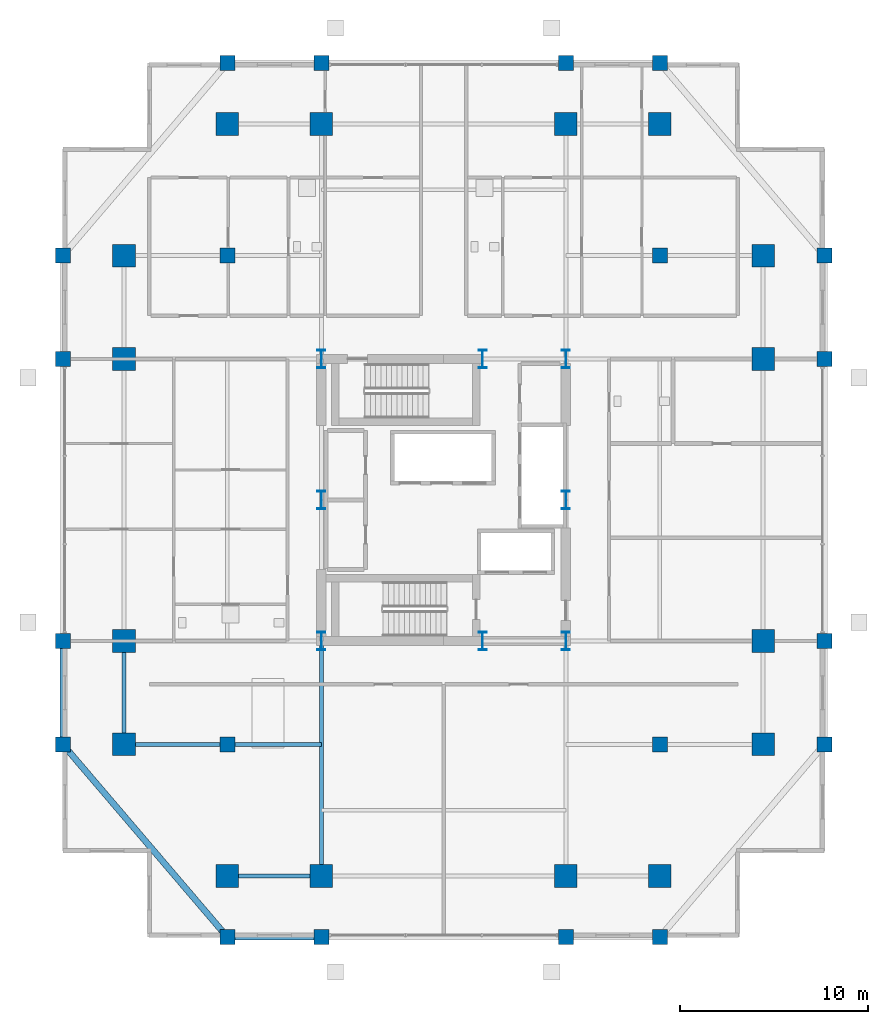
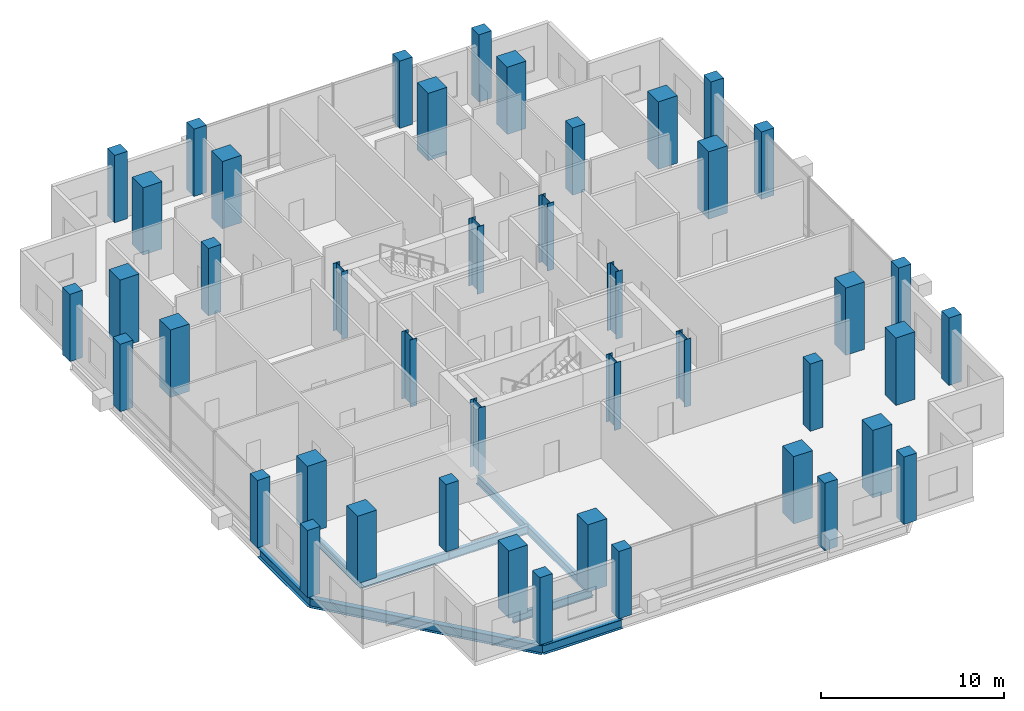
# One storey, part 1 of 19: 44 columns, 8 beams.
"""IFC4 building model written with IfcOpenShell, lengths in metres."""

from ifc_helpers import new_model, si_unit, direction, frame, origin, origin_2d, place, context, subcontext, project, spatial, rectangle, i_section, extrude, material, material_profile, profile_set, type_object, element, save


model = new_model("IFC4")

# Units and contexts
model_context = context("Model", 3, precision=1e-05, world=origin(), true_north=direction((0.0, 1.0)))
body_context = subcontext(model_context, "Body", "Model", "MODEL_VIEW")
ifc_project = project(units=[si_unit("LENGTHUNIT", "METRE"), si_unit("AREAUNIT", "SQUARE_METRE"), si_unit("VOLUMEUNIT", "CUBIC_METRE"), si_unit("PLANEANGLEUNIT", "RADIAN"), si_unit("MASSUNIT", "GRAM", prefix="KILO")], contexts=[model_context])

# Site, building, storey
site_placement = place(None, origin())
site = spatial("IfcSite", under=ifc_project, at=site_placement, CompositionType="ELEMENT")
building_placement = place(site_placement, origin())
building = spatial("IfcBuilding", under=site, at=building_placement, Name="Barlavira Tower and Art Museum", CompositionType="ELEMENT")
storey_placement = place(building_placement, frame((0.0, 0.0, 125.10009765625)))
storey = spatial("IfcBuildingStorey", under=building, at=storey_placement, Name="L31", CompositionType="ELEMENT", Elevation=125.10009765625)

# Columns
ifc_material_1 = material(Name="Steel S355", Category="steel")
ifc_material_profile_1 = material_profile(ifc_material_1, i_section(OverallWidth=0.419921875, OverallDepth=0.9599609375, WebThickness=0.02197265625, FlangeThickness=0.033935546875, at=origin_2d()), Name="W920x387.0")
ifc_profile_set_1 = profile_set([ifc_material_profile_1], Name="Steel S355")
column_type_1 = type_object("IfcColumnType", Name="Core Composite Column W920x387 Steel S355", PredefinedType="COLUMN", material=ifc_profile_set_1)
for number, where, z_axis, x_axis, name in (
    (1, (-6.5, -7.5, 0.0), (0.0, 0.0, 1.0), (1.0, 0.0, 0.0), "L31 Column CC-L31-C1"),
    (2, (2.080078125, -7.5, 0.0), (0.0, 0.0, 1.0), (1.0, 0.0, 0.0), "L31 Column CC-L31-C2"),
    (3, (6.5, -7.5, 0.0), (0.0, 0.0, 1.0), (1.0, 0.0, 0.0), "L31 Column CC-L31-C3"),
    (4, (-6.5, 0.0, 0.0), (0.0, 0.0, 1.0), (1.0, 0.0, 0.0), "L31 Column CC-L31-C4"),
    (5, (6.5, 0.0, 0.0), (0.0, 0.0, 1.0), (1.0, 0.0, 0.0), "L31 Column CC-L31-C5"),
    (6, (-6.5, 7.5, 0.0), (0.0, 0.0, 1.0), (1.0, 0.0, 0.0), "L31 Column CC-L31-C6"),
    (7, (2.080078125, 7.5, 0.0), (0.0, 0.0, 1.0), (1.0, 0.0, 0.0), "L31 Column CC-L31-C7"),
    (8, (6.5, 7.5, 0.0), (0.0, 0.0, 1.0), (1.0, 0.0, 0.0), "L31 Column CC-L31-C8"),
):
    element("IfcColumn", number, at=place(storey_placement, frame(where, z_axis=z_axis, x_axis=x_axis)), inside=storey, type_object=column_type_1, Name=name, PredefinedType="COLUMN", context=body_context, shape_type="SweptSolid", body=[
        extrude(i_section(OverallWidth=0.419921875, OverallDepth=0.9599609375, WebThickness=0.02197265625, FlangeThickness=0.033935546875, at=origin_2d()), origin(), (0.0, 0.0, 1.0), 4.5),
    ])
ifc_material_2 = material(Name="Concrete C60", Category="concrete")
ifc_material_profile_2 = material_profile(ifc_material_2, rectangle(XDim=1.199951171875, YDim=1.199951171875, at=origin_2d()), Name="RC-COL 1200x1200")
ifc_profile_set_2 = profile_set([ifc_material_profile_2], Name="Concrete C60")
column_type_2 = type_object("IfcColumnType", Name="Perimeter Mega Column 1200x1200 Concrete C60", PredefinedType="USERDEFINED", material=ifc_profile_set_2)
for number, where, z_axis, x_axis, name in (
    (9, (-11.5, -20.0, 0.0), (0.0, 0.0, 1.0), (1.0, 0.0, 0.0), "L31 Column MC-L31-M01"),
    (10, (-6.5, -20.0, 0.0), (0.0, 0.0, 1.0), (1.0, 0.0, 0.0), "L31 Column MC-L31-M02"),
    (11, (6.5, -20.0, 0.0), (0.0, 0.0, 1.0), (1.0, 0.0, 0.0), "L31 Column MC-L31-M03"),
    (12, (11.5, -20.0, 0.0), (0.0, 0.0, 1.0), (1.0, 0.0, 0.0), "L31 Column MC-L31-M04"),
    (13, (17.0, -13.0, 0.0), (0.0, 0.0, 1.0), (1.0, 0.0, 0.0), "L31 Column MC-L31-M05"),
    (14, (17.0, -7.5, 0.0), (0.0, 0.0, 1.0), (1.0, 0.0, 0.0), "L31 Column MC-L31-M06"),
    (15, (17.0, 7.5, 0.0), (0.0, 0.0, 1.0), (1.0, 0.0, 0.0), "L31 Column MC-L31-M07"),
    (16, (17.0, 13.0, 0.0), (0.0, 0.0, 1.0), (1.0, 0.0, 0.0), "L31 Column MC-L31-M08"),
    (17, (11.5, 20.0, 0.0), (0.0, 0.0, 1.0), (1.0, 0.0, 0.0), "L31 Column MC-L31-M09"),
    (18, (6.5, 20.0, 0.0), (0.0, 0.0, 1.0), (1.0, 0.0, 0.0), "L31 Column MC-L31-M10"),
    (19, (-6.5, 20.0, 0.0), (0.0, 0.0, 1.0), (1.0, 0.0, 0.0), "L31 Column MC-L31-M11"),
    (20, (-11.5, 20.0, 0.0), (0.0, 0.0, 1.0), (1.0, 0.0, 0.0), "L31 Column MC-L31-M12"),
    (21, (-17.0, 13.0, 0.0), (0.0, 0.0, 1.0), (1.0, 0.0, 0.0), "L31 Column MC-L31-M13"),
    (22, (-17.0, 7.5, 0.0), (0.0, 0.0, 1.0), (1.0, 0.0, 0.0), "L31 Column MC-L31-M14"),
    (23, (-17.0, -7.5, 0.0), (0.0, 0.0, 1.0), (1.0, 0.0, 0.0), "L31 Column MC-L31-M15"),
    (24, (-17.0, -13.0, 0.0), (0.0, 0.0, 1.0), (1.0, 0.0, 0.0), "L31 Column MC-L31-M16"),
):
    element("IfcColumn", number, at=place(storey_placement, frame(where, z_axis=z_axis, x_axis=x_axis)), inside=storey, type_object=column_type_2, Name=name, ObjectType="MEGA COLUMN", PredefinedType="USERDEFINED", context=body_context, shape_type="SweptSolid", body=[
        extrude(rectangle(XDim=1.199951171875, YDim=1.199951171875, at=origin_2d()), origin(), (0.0, 0.0, 1.0), 4.5),
    ])
ifc_material_3 = material(Name="Concrete C50", Category="concrete")
ifc_material_profile_3 = material_profile(ifc_material_3, rectangle(XDim=0.800048828125, YDim=0.800048828125, at=origin_2d()), Name="RC-COL 800x800")
ifc_profile_set_3 = profile_set([ifc_material_profile_3], Name="Concrete C50")
column_type_3 = type_object("IfcColumnType", Name="Podium Frame Column 800x800 Concrete C50", PredefinedType="COLUMN", material=ifc_profile_set_3)
for number, where, z_axis, x_axis, name in (
    (25, (-11.5, -13.0, 0.0), (0.0, 0.0, 1.0), (1.0, 0.0, 0.0), "L31 Column CI-L31-I1"),
    (26, (11.5, -13.0, 0.0), (0.0, 0.0, 1.0), (1.0, 0.0, 0.0), "L31 Column CI-L31-I2"),
    (27, (-11.5, 13.0, 0.0), (0.0, 0.0, 1.0), (1.0, 0.0, 0.0), "L31 Column CI-L31-I3"),
    (28, (11.5, 13.0, 0.0), (0.0, 0.0, 1.0), (1.0, 0.0, 0.0), "L31 Column CI-L31-I4"),
    (29, (-11.5, -23.25, 0.0), (0.0, 0.0, 1.0), (1.0, 0.0, 0.0), "L31 Column CZ2-L31-N01"),
    (30, (-6.5, -23.25, 0.0), (0.0, 0.0, 1.0), (1.0, 0.0, 0.0), "L31 Column CZ2-L31-N02"),
    (31, (6.5, -23.25, 0.0), (0.0, 0.0, 1.0), (1.0, 0.0, 0.0), "L31 Column CZ2-L31-N02B"),
    (32, (11.5, -23.25, 0.0), (0.0, 0.0, 1.0), (1.0, 0.0, 0.0), "L31 Column CZ2-L31-N03"),
    (33, (-20.25, -13.0, 0.0), (0.0, 0.0, 1.0), (1.0, 0.0, 0.0), "L31 Column CZ2-L31-N04"),
    (34, (-20.25, -7.5, 0.0), (0.0, 0.0, 1.0), (1.0, 0.0, 0.0), "L31 Column CZ2-L31-N05"),
    (35, (-20.25, 7.5, 0.0), (0.0, 0.0, 1.0), (1.0, 0.0, 0.0), "L31 Column CZ2-L31-N05B"),
    (36, (-20.25, 13.0, 0.0), (0.0, 0.0, 1.0), (1.0, 0.0, 0.0), "L31 Column CZ2-L31-N06"),
    (37, (-11.5, 23.25, 0.0), (0.0, 0.0, 1.0), (1.0, 0.0, 0.0), "L31 Column CZ2-L31-N07"),
    (38, (-6.5, 23.25, 0.0), (0.0, 0.0, 1.0), (1.0, 0.0, 0.0), "L31 Column CZ2-L31-N08"),
    (39, (6.5, 23.25, 0.0), (0.0, 0.0, 1.0), (1.0, 0.0, 0.0), "L31 Column CZ2-L31-N08B"),
    (40, (11.5, 23.25, 0.0), (0.0, 0.0, 1.0), (1.0, 0.0, 0.0), "L31 Column CZ2-L31-N09"),
    (41, (20.25, -13.0, 0.0), (0.0, 0.0, 1.0), (1.0, 0.0, 0.0), "L31 Column CZ2-L31-N10"),
    (42, (20.25, -7.5, 0.0), (0.0, 0.0, 1.0), (1.0, 0.0, 0.0), "L31 Column CZ2-L31-N11"),
    (43, (20.25, 7.5, 0.0), (0.0, 0.0, 1.0), (1.0, 0.0, 0.0), "L31 Column CZ2-L31-N11B"),
    (44, (20.25, 13.0, 0.0), (0.0, 0.0, 1.0), (1.0, 0.0, 0.0), "L31 Column CZ2-L31-N12"),
):
    element("IfcColumn", number, at=place(storey_placement, frame(where, z_axis=z_axis, x_axis=x_axis)), inside=storey, type_object=column_type_3, Name=name, PredefinedType="COLUMN", context=body_context, shape_type="SweptSolid", body=[
        extrude(rectangle(XDim=0.800048828125, YDim=0.800048828125, at=origin_2d()), origin(), (0.0, 0.0, 1.0), 4.5),
    ])

# Beams
ifc_material_profile_4 = material_profile(ifc_material_1, i_section(OverallWidth=0.327880859375, OverallDepth=0.62890625, WebThickness=0.013916015625, FlangeThickness=0.021484375, at=origin_2d()), Name="W610x174.0")
ifc_profile_set_4 = profile_set([ifc_material_profile_4], Name="Steel S355")
beam_type_1 = type_object("IfcBeamType", Name="Perimeter Spandrel Edge Beam W610x174 Steel S355", PredefinedType="SPANDREL", material=ifc_profile_set_4)
beam_1_placement = place(storey_placement, frame((-11.5, -23.25, -0.614501953125), z_axis=(1.0, 0.0, 0.0), x_axis=(0.0, 1.0, 0.0)))
element("IfcBeam", 45, at=beam_1_placement, inside=storey, type_object=beam_type_1, Name="L31 Spandrel 1", PredefinedType="SPANDREL", context=body_context, shape_type="SweptSolid", body=[
    extrude(i_section(OverallWidth=0.327880859375, OverallDepth=0.62890625, WebThickness=0.013916015625, FlangeThickness=0.021484375, at=origin_2d()), origin(), (0.0, 0.0, 1.0), 5.0),
])
beam_2_placement = place(storey_placement, frame((-20.25, -13.0, -0.614501953125), z_axis=(0.0, 1.0, 0.0), x_axis=(-1.0, 0.0, 0.0)))
element("IfcBeam", 46, at=beam_2_placement, inside=storey, type_object=beam_type_1, Name="L31 Spandrel 15", PredefinedType="SPANDREL", context=body_context, shape_type="SweptSolid", body=[
    extrude(i_section(OverallWidth=0.327880859375, OverallDepth=0.62890625, WebThickness=0.013916015625, FlangeThickness=0.021484375, at=origin_2d()), origin(), (0.0, 0.0, 1.0), 5.5),
])
beam_3_placement = place(storey_placement, frame((-20.25, -13.0, -0.614501953125), z_axis=(0.649262379928, -0.760564502202, 0.0), x_axis=(0.760564502202, 0.649262379928, 0.0)))
element("IfcBeam", 47, at=beam_3_placement, inside=storey, type_object=beam_type_1, Name="L31 Spandrel 16", PredefinedType="SPANDREL", context=body_context, shape_type="SweptSolid", body=[
    extrude(i_section(OverallWidth=0.327880859375, OverallDepth=0.62890625, WebThickness=0.013916015625, FlangeThickness=0.021484375, at=origin_2d()), origin(), (0.0, 0.0, 1.0), 13.476806640625),
])
ifc_material_profile_5 = material_profile(ifc_material_1, i_section(OverallWidth=0.214111328125, OverallDepth=0.549072265625, WebThickness=0.0146484375, FlangeThickness=0.023681640625, at=origin_2d()), Name="W530x138.0")
ifc_profile_set_5 = profile_set([ifc_material_profile_5], Name="Steel S355")
beam_type_2 = type_object("IfcBeamType", Name="Zone 1 Primary Floor Girder W530x138 Steel S355", PredefinedType="BEAM", material=ifc_profile_set_5)
beam_4_placement = place(storey_placement, frame((-11.5, -20.0, -0.57470703125), z_axis=(1.0, 0.0, 0.0), x_axis=(0.0, 1.0, 0.0)))
element("IfcBeam", 48, at=beam_4_placement, inside=storey, type_object=beam_type_2, Name="L31 Girder M-S1", PredefinedType="BEAM", context=body_context, shape_type="SweptSolid", body=[
    extrude(i_section(OverallWidth=0.214111328125, OverallDepth=0.549072265625, WebThickness=0.0146484375, FlangeThickness=0.023681640625, at=origin_2d()), origin(), (0.0, 0.0, 1.0), 5.0),
])
beam_5_placement = place(storey_placement, frame((-17.0, -13.0, -0.57470703125), z_axis=(0.0, 1.0, 0.0), x_axis=(-1.0, 0.0, 0.0)))
element("IfcBeam", 49, at=beam_5_placement, inside=storey, type_object=beam_type_2, Name="L31 Girder M-W1", PredefinedType="BEAM", context=body_context, shape_type="SweptSolid", body=[
    extrude(i_section(OverallWidth=0.214111328125, OverallDepth=0.549072265625, WebThickness=0.0146484375, FlangeThickness=0.023681640625, at=origin_2d()), origin(), (0.0, 0.0, 1.0), 5.5),
])
beam_6_placement = place(storey_placement, frame((-6.5, -20.0, -0.57470703125), z_axis=(0.0, 1.0, 0.0), x_axis=(-1.0, 0.0, 0.0)))
element("IfcBeam", 50, at=beam_6_placement, inside=storey, type_object=beam_type_2, Name="L31 Girder R-S1", PredefinedType="BEAM", context=body_context, shape_type="SweptSolid", body=[
    extrude(i_section(OverallWidth=0.214111328125, OverallDepth=0.549072265625, WebThickness=0.0146484375, FlangeThickness=0.023681640625, at=origin_2d()), origin(), (0.0, 0.0, 1.0), 12.5),
])
beam_7_placement = place(storey_placement, frame((-17.0, -13.0, -0.57470703125), z_axis=(1.0, 0.0, 0.0), x_axis=(0.0, 1.0, 0.0)))
element("IfcBeam", 51, at=beam_7_placement, inside=storey, type_object=beam_type_2, Name="L31 Girder I-S1", PredefinedType="BEAM", context=body_context, shape_type="SweptSolid", body=[
    extrude(i_section(OverallWidth=0.214111328125, OverallDepth=0.549072265625, WebThickness=0.0146484375, FlangeThickness=0.023681640625, at=origin_2d()), origin(), (0.0, 0.0, 1.0), 5.5),
])
beam_8_placement = place(storey_placement, frame((-11.5, -13.0, -0.57470703125), z_axis=(1.0, 0.0, 0.0), x_axis=(0.0, 1.0, 0.0)))
element("IfcBeam", 52, at=beam_8_placement, inside=storey, type_object=beam_type_2, Name="L31 Girder I-S2", PredefinedType="BEAM", context=body_context, shape_type="SweptSolid", body=[
    extrude(i_section(OverallWidth=0.214111328125, OverallDepth=0.549072265625, WebThickness=0.0146484375, FlangeThickness=0.023681640625, at=origin_2d()), origin(), (0.0, 0.0, 1.0), 5.0),
])

save(model, "model.ifc")
